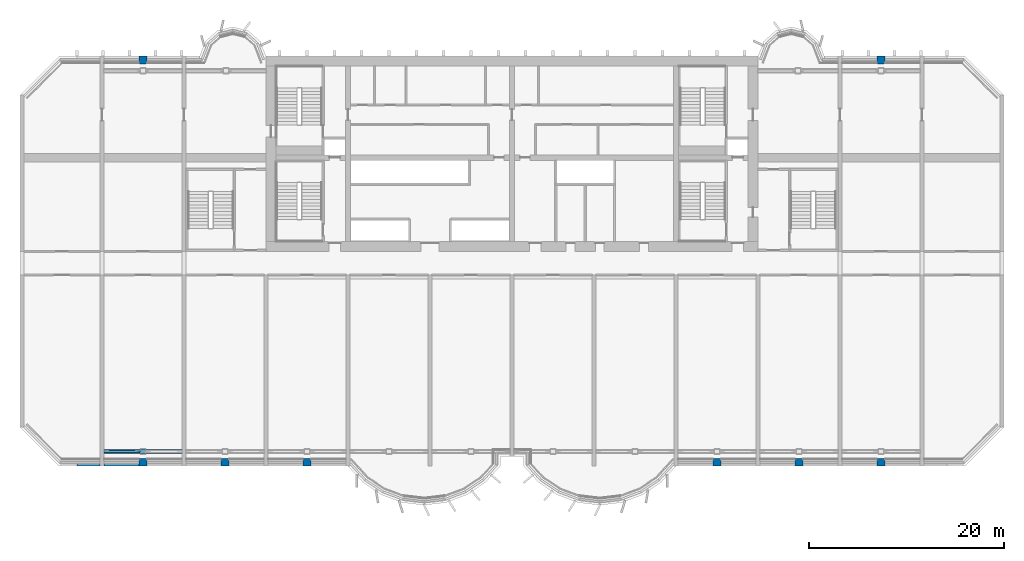
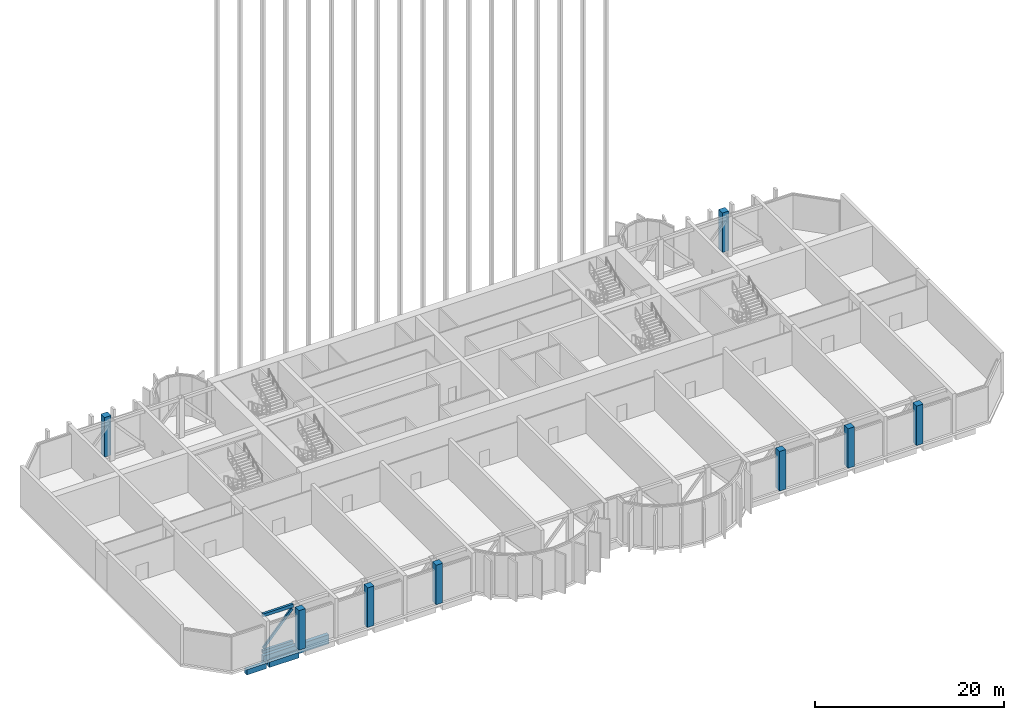
# One storey, part 1 of 17: 8 columns, 3 beams, 3 members.
"""IFC4 building model written with IfcOpenShell, lengths in metres."""

import ifcopenshell
import ifcopenshell.guid

model = None  # the IFC model being written
_history = None  # IfcOwnerHistory: only IFC2X3 demands one
_inside = {}  # id of a spatial element -> (the spatial element, [elements in it])
_under = {}  # id of a project, library or spatial element -> (it, [spatial elements below it])
_declared = {}  # id of a project -> (the project, [libraries it declares])
_typed = {}  # id of a type object -> (the type object, [elements of that type])
_made_of = {}  # id of a material, layer set ... -> (it, [elements and type objects made of it])


def new_model(schema):
    """Start an empty IFC model of exactly this schema.

    Asked for "IFC4X3", IfcOpenShell would pick the latest addendum, in which some entities
    have other attributes; the version numbers below select the first issue.
    IFC2X3 requires an IfcOwnerHistory on every rooted entity: one is made here for all.
    """
    global model, _history
    if schema == "IFC4X3":
        model = ifcopenshell.file(schema_version=(4, 3, 0, 0))
    else:
        model = ifcopenshell.file(schema=schema)
    _inside.clear()
    _under.clear()
    _declared.clear()
    _typed.clear()
    _made_of.clear()
    _history = None
    if model.schema == "IFC2X3":
        org = make("IfcOrganization", Name="unknown")
        user = make(
            "IfcPersonAndOrganization",
            ThePerson=make("IfcPerson", FamilyName="unknown"),
            TheOrganization=org,
        )
        app = make(
            "IfcApplication",
            ApplicationDeveloper=org,
            Version="unknown",
            ApplicationFullName="unknown",
            ApplicationIdentifier="unknown",
        )
        _history = make(
            "IfcOwnerHistory",
            OwningUser=user,
            OwningApplication=app,
            ChangeAction="ADDED",
            CreationDate=0,
        )
    return model


def make(cls, **values):
    """One entity of the class cls with the attributes given. An attribute that is None is left unset."""
    return model.create_entity(
        cls, **{name: value for name, value in values.items() if value is not None}
    )


def rooted(cls, **values):
    """An entity with a GlobalId (a new one), such as an element, a storey or a relation."""
    return make(cls, GlobalId=ifcopenshell.guid.new(), OwnerHistory=_history, **values)


def si_unit(unit_type, name, prefix=None):
    """IfcSIUnit, for example si_unit("LENGTHUNIT", "METRE", prefix="MILLI")."""
    return make("IfcSIUnit", UnitType=unit_type, Prefix=prefix, Name=name)


def assignment(units):
    """IfcUnitAssignment: the units of a project."""
    return None if units is None else make("IfcUnitAssignment", Units=units)


def point(xyz):
    """IfcCartesianPoint."""
    return None if xyz is None else make("IfcCartesianPoint", Coordinates=xyz)


def direction(xyz):
    """IfcDirection."""
    return None if xyz is None else make("IfcDirection", DirectionRatios=xyz)


def frame(location, z_axis=None, x_axis=None):
    """IfcAxis2Placement3D, a coordinate frame: its origin and axes. An axis left out is left unset."""
    return make(
        "IfcAxis2Placement3D",
        Location=point(location),
        Axis=direction(z_axis),
        RefDirection=direction(x_axis),
    )


def frame_2d(location, x_axis=None):
    """IfcAxis2Placement2D, a coordinate frame in the plane: its origin and x axis."""
    return make(
        "IfcAxis2Placement2D", Location=point(location), RefDirection=direction(x_axis)
    )


def origin():
    """The frame at (0, 0, 0) with its axes left unset."""
    return frame((0.0, 0.0, 0.0))


def origin_2d():
    """The frame at (0, 0) in the plane with its x axis left unset."""
    return frame_2d((0.0, 0.0))


def place(relative_to, where):
    """IfcLocalPlacement: puts the frame where relative to a parent placement (None: the world)."""
    return make(
        "IfcLocalPlacement", PlacementRelTo=relative_to, RelativePlacement=where
    )


def context(
    kind, dimensions, precision=None, world=None, true_north=None, identifier=None
):
    """IfcGeometricRepresentationContext, for example the 3D "Model" context."""
    return make(
        "IfcGeometricRepresentationContext",
        ContextIdentifier=identifier,
        ContextType=kind,
        CoordinateSpaceDimension=dimensions,
        Precision=precision,
        WorldCoordinateSystem=world,
        TrueNorth=true_north,
    )


def subcontext(parent, identifier, kind, view, scale=None):
    """IfcGeometricRepresentationSubContext, for example "Body" below "Model"."""
    return make(
        "IfcGeometricRepresentationSubContext",
        ContextIdentifier=identifier,
        ContextType=kind,
        ParentContext=parent,
        TargetScale=scale,
        TargetView=view,
    )


def project(units=None, contexts=None):
    """IfcProject with its units and contexts."""
    return rooted(
        "IfcProject",
        Name="project",
        RepresentationContexts=contexts,
        UnitsInContext=assignment(units),
    )


def spatial(cls, under=None, at=None, **own):
    """A site, building, storey or space (cls), placed at a placement, below another one or the project."""
    s = rooted(cls, ObjectPlacement=at, **own)
    if under is not None:
        _under.setdefault(under.id(), (under, []))[1].append(s)
    return s


def profile(cls, at=None, kind="AREA", **sizes):
    """A parametric profile (cls). Its sizes go by their IFC names, for example OverallWidth=200.0."""
    return make(cls, ProfileType=kind, Position=at, **sizes)


def rectangle(**sizes):
    """IfcRectangleProfileDef."""
    return profile("IfcRectangleProfileDef", **sizes)


def hollow_rectangle(**sizes):
    """IfcRectangleHollowProfileDef."""
    return profile("IfcRectangleHollowProfileDef", **sizes)


def extrude(swept, where, along, depth):
    """IfcExtrudedAreaSolid: the profile swept, set in the frame where, extruded along a direction by depth."""
    return make(
        "IfcExtrudedAreaSolid",
        SweptArea=swept,
        Position=where,
        ExtrudedDirection=direction(along),
        Depth=depth,
    )


def shape(context_of_items, identifier, shape_type, items):
    """IfcShapeRepresentation: the items that make up one representation, for example the "Body"."""
    return make(
        "IfcShapeRepresentation",
        ContextOfItems=context_of_items,
        RepresentationIdentifier=identifier,
        RepresentationType=shape_type,
        Items=items,
    )


def source(mapping_origin, context_of_items, identifier, shape_type, items):
    """IfcRepresentationMap: a shape defined once, which mapped items show again and again."""
    return make(
        "IfcRepresentationMap",
        MappingOrigin=mapping_origin,
        MappedRepresentation=shape(context_of_items, identifier, shape_type, items),
    )


def transform(
    local_origin,
    x_axis=None,
    y_axis=None,
    z_axis=None,
    scale=None,
    scale2=None,
    scale3=None,
    uniform=True,
):
    """IfcCartesianTransformationOperator3D, or its non-uniform kind. x_axis, y_axis, z_axis: its Axis1, 2, 3."""
    if uniform:
        return make(
            "IfcCartesianTransformationOperator3D",
            Axis1=direction(x_axis),
            Axis2=direction(y_axis),
            LocalOrigin=point(local_origin),
            Scale=scale,
            Axis3=direction(z_axis),
        )
    return make(
        "IfcCartesianTransformationOperator3DnonUniform",
        Axis1=direction(x_axis),
        Axis2=direction(y_axis),
        LocalOrigin=point(local_origin),
        Scale=scale,
        Axis3=direction(z_axis),
        Scale2=scale2,
        Scale3=scale3,
    )


def mapped(mapping_source, mapping_target):
    """IfcMappedItem: shows the shape of a source again, moved by a transform."""
    return make(
        "IfcMappedItem", MappingSource=mapping_source, MappingTarget=mapping_target
    )


def material(Name=None, Category=None):
    """IfcMaterial."""
    return make("IfcMaterial", Name=Name, Category=Category)


def material_profile(
    of_material, cross_section, Name=None, Category=None, Priority=None
):
    """IfcMaterialProfile: a cross section and its material."""
    return make(
        "IfcMaterialProfile",
        Name=Name,
        Material=of_material,
        Profile=cross_section,
        Priority=Priority,
        Category=Category,
    )


def profile_set(profiles, Name=None, composite=None):
    """IfcMaterialProfileSet."""
    return make(
        "IfcMaterialProfileSet",
        Name=Name,
        MaterialProfiles=profiles,
        CompositeProfile=composite,
    )


def made_of(thing, what):
    """Note that an element or type object is made of a material, layer set ...; save() writes the relation."""
    if what is not None:
        _made_of.setdefault(what.id(), (what, []))[1].append(thing)
    return thing


def type_object(cls, material=None, **own):
    """A type object (cls), such as IfcWallType, which elements share."""
    return made_of(rooted(cls, **own), material)


def element(
    cls,
    number,
    at=None,
    inside=None,
    cuts=None,
    type_object=None,
    material=None,
    context=None,
    identifier="Body",
    shape_type=None,
    held_by="IfcProductDefinitionShape",
    body=None,
    shapes=None,
    **own,
):
    """One element of the class cls, such as IfcWall. Its Tag is "e" and its number.

    at: its placement. inside: the storey or other place that contains it. cuts: it is an
    opening in that element (IfcRelVoidsElement). A single representation is given by context,
    identifier, shape_type and body (its items); several are given by shapes. held_by: the class
    of the entity that holds the representations. save() writes the other relations.
    """
    e = rooted(cls, Tag="e%d" % number, ObjectPlacement=at, **own)
    if body is not None:
        shapes = [shape(context, identifier, shape_type, body)]
    if shapes is not None:
        e.Representation = make(held_by, Representations=shapes)
    if inside is not None:
        _inside.setdefault(inside.id(), (inside, []))[1].append(e)
    if cuts is not None:
        rooted(
            "IfcRelVoidsElement", RelatingBuildingElement=cuts, RelatedOpeningElement=e
        )
    if type_object is not None:
        _typed.setdefault(type_object.id(), (type_object, []))[1].append(e)
    return made_of(e, material)


def aggregate(whole, parts):
    """IfcRelAggregates: a whole, such as a stair, and the parts it consists of."""
    return rooted("IfcRelAggregates", RelatingObject=whole, RelatedObjects=parts)


def save(model, path):
    """Write the relations noted so far, then the file.

    IfcRelAggregates (storeys below a building ...), IfcRelContainedInSpatialStructure (elements
    in a storey), IfcRelDefinesByType, IfcRelAssociatesMaterial and IfcRelDeclares: one each for
    every whole, place, type object, material and project.
    """
    for whole, parts in _under.values():
        aggregate(whole, parts)
    for where, things in _inside.values():
        rooted(
            "IfcRelContainedInSpatialStructure",
            RelatedElements=things,
            RelatingStructure=where,
        )
    for kind, things in _typed.values():
        rooted("IfcRelDefinesByType", RelatedObjects=things, RelatingType=kind)
    for what, things in _made_of.values():
        rooted("IfcRelAssociatesMaterial", RelatedObjects=things, RelatingMaterial=what)
    for by, libraries in _declared.values():
        rooted("IfcRelDeclares", RelatingContext=by, RelatedDefinitions=libraries)
    model.write(path)


model = new_model("IFC4")

# Units and contexts
model_context = context("Model", 3, precision=1e-05, world=origin(), true_north=direction((0.0, 1.0)))
body_context = subcontext(model_context, "Body", "Model", "MODEL_VIEW")
ifc_project = project(units=[si_unit("LENGTHUNIT", "METRE"), si_unit("AREAUNIT", "SQUARE_METRE"), si_unit("VOLUMEUNIT", "CUBIC_METRE"), si_unit("PLANEANGLEUNIT", "RADIAN"), si_unit("MASSUNIT", "GRAM", prefix="KILO")], contexts=[model_context])

# Site, building, storey
site_placement = place(None, origin())
site = spatial("IfcSite", under=ifc_project, at=site_placement, CompositionType="ELEMENT")
building_placement = place(site_placement, origin())
building = spatial("IfcBuilding", under=site, at=building_placement, Name="Vanashikhar Sky Hotel", CompositionType="ELEMENT")
storey_placement = place(building_placement, frame((0.0, 0.0, 81.0)))
storey = spatial("IfcBuildingStorey", under=building, at=storey_placement, Name="L19", CompositionType="ELEMENT", Elevation=81.0)

# Columns
ifc_material_1 = material(Name="Concrete M70", Category="concrete")
ifc_material_profile_1 = material_profile(ifc_material_1, rectangle(XDim=0.800048828125, YDim=0.800048828125, at=origin_2d()))
ifc_profile_set_1 = profile_set([ifc_material_profile_1], Name="RC 800x800 column Concrete M70")
column_type = type_object("IfcColumnType", Name="RC 800x800 column Concrete M70", PredefinedType="COLUMN", material=ifc_profile_set_1)
shared_shape_1 = source(origin(), body_context, "Body", "SweptSolid", [
    extrude(rectangle(XDim=0.800048828125, YDim=0.800048828125, at=origin_2d()), origin(), (0.0, 0.0, 1.0), 5.1201171875),
])
for number, where, z_axis, x_axis, name in (
    (1, (12.60009765625, 0.39990234375, 0.0), (0.0, 0.0, 1.0), (1.0, 0.0, 0.0), "CL-L19-CF02"),
    (2, (21.0, 0.39990234375, 0.0), (0.0, 0.0, 1.0), (1.0, 0.0, 0.0), "CL-L19-CF03"),
    (3, (29.39990234375, 0.39990234375, 0.0), (0.0, 0.0, 1.0), (1.0, 0.0, 0.0), "CL-L19-CF04"),
    (4, (71.39990234375, 0.39990234375, 0.0), (0.0, 0.0, 1.0), (1.0, 0.0, 0.0), "CL-L19-CF09"),
    (5, (79.800048828125, 0.39990234375, 0.0), (0.0, 0.0, 1.0), (1.0, 0.0, 0.0), "CL-L19-CF10"),
    (6, (88.199951171875, 0.39990234375, 0.0), (0.0, 0.0, 1.0), (1.0, 0.0, 0.0), "CL-L19-CF11"),
    (7, (12.60009765625, 41.60009765625, 0.0), (0.0, 0.0, 1.0), (1.0, 0.0, 0.0), "CL-L19-CR02"),
    (8, (88.199951171875, 41.60009765625, 0.0), (0.0, 0.0, 1.0), (1.0, 0.0, 0.0), "CL-L19-CR11"),
):
    element("IfcColumn", number, at=place(storey_placement, frame(where, z_axis=z_axis, x_axis=x_axis)), inside=storey, type_object=column_type, Name=name, PredefinedType="COLUMN", context=body_context, shape_type="MappedRepresentation", body=[
        mapped(shared_shape_1, transform((0.0, 0.0, 0.0), scale=1.0)),
    ])

# Beams
ifc_material_2 = material(Name="Concrete M50", Category="concrete")
ifc_material_profile_2 = material_profile(ifc_material_2, rectangle(XDim=0.449951171875, YDim=0.699951171875, at=origin_2d()))
ifc_profile_set_2 = profile_set([ifc_material_profile_2], Name="RC 450x700 beam Concrete M50")
beam_type_1 = type_object("IfcBeamType", Name="RC 450x700 beam Concrete M50", PredefinedType="BEAM", material=ifc_profile_set_2)
shared_shape_2 = source(origin(), body_context, "Body", "SweptSolid", [
    extrude(rectangle(XDim=0.449951171875, YDim=0.699951171875, at=origin_2d()), origin(), (0.0, 0.0, 1.0), 3.599853515625),
])
beam_1_placement = place(storey_placement, frame((8.60009765625, 0.22509765625, -0.6298828125), z_axis=(1.0, 0.0, 0.0), x_axis=(0.0, 1.0, 0.0)))
element("IfcBeam", 9, at=beam_1_placement, inside=storey, type_object=beam_type_1, Name="EB-L19-F01", PredefinedType="BEAM", context=body_context, shape_type="MappedRepresentation", body=[
    mapped(shared_shape_2, transform((0.0, 0.0, 0.0), scale=1.0)),
])
ifc_material_profile_3 = material_profile(ifc_material_2, rectangle(XDim=0.449951171875, YDim=0.699951171875, at=origin_2d()))
ifc_profile_set_3 = profile_set([ifc_material_profile_3], Name="RC 450x700 cantilever beam Concrete M50")
beam_type_2 = type_object("IfcBeamType", Name="RC 450x700 cantilever beam Concrete M50", PredefinedType="SPANDREL", material=ifc_profile_set_3)
shared_shape_3 = source(origin(), body_context, "Body", "SweptSolid", [
    extrude(rectangle(XDim=0.449951171875, YDim=0.699951171875, at=origin_2d()), origin(), (0.0, 0.0, 1.0), 2.3798828125),
])
beam_2_placement = place(storey_placement, frame((5.820068359375, 0.22509765625, -0.6298828125), z_axis=(1.0, 0.0, 0.0), x_axis=(0.0, 1.0, 0.0)))
element("IfcBeam", 10, at=beam_2_placement, inside=storey, type_object=beam_type_2, Name="EB-L19-F07", PredefinedType="SPANDREL", context=body_context, shape_type="MappedRepresentation", body=[
    mapped(shared_shape_3, transform((0.0, 0.0, 0.0), scale=1.0)),
])
ifc_material_profile_4 = material_profile(ifc_material_2, rectangle(XDim=0.449951171875, YDim=1.199951171875, at=origin_2d()))
ifc_profile_set_4 = profile_set([ifc_material_profile_4], Name="RC 450x1200 beam Concrete M50")
beam_type_3 = type_object("IfcBeamType", Name="RC 450x1200 beam Concrete M50", PredefinedType="BEAM", material=ifc_profile_set_4)
shared_shape_4 = source(origin(), body_context, "Body", "SweptSolid", [
    extrude(rectangle(XDim=0.449951171875, YDim=1.199951171875, at=origin_2d()), origin(), (0.0, 0.0, 1.0), 8.0),
])
beam_3_placement = place(storey_placement, frame((8.60009765625, 1.5, -0.8798828125), z_axis=(1.0, 0.0, 0.0), x_axis=(0.0, 1.0, 0.0)))
element("IfcBeam", 11, at=beam_3_placement, inside=storey, type_object=beam_type_3, Name="TG-L19-F01", PredefinedType="BEAM", context=body_context, shape_type="MappedRepresentation", body=[
    mapped(shared_shape_4, transform((0.0, 0.0, 0.0), scale=1.0)),
])

# Members
ifc_material_3 = material(Name="Steel S355", Category="steel")
ifc_material_profile_5 = material_profile(ifc_material_3, hollow_rectangle(XDim=0.300048828125, YDim=0.39990234375, WallThickness=0.01611328125, at=origin_2d()))
ifc_profile_set_5 = profile_set([ifc_material_profile_5], Name="RHS 400x300x16 Steel S355")
member_type_1 = type_object("IfcMemberType", Name="RHS 400x300x16 Steel S355", PredefinedType="CHORD", material=ifc_profile_set_5)
shared_shape_5 = source(origin(), body_context, "Body", "SweptSolid", [
    extrude(hollow_rectangle(XDim=0.300048828125, YDim=0.39990234375, WallThickness=0.01611328125, at=origin_2d()), origin(), (0.0, 0.0, 1.0), 3.699951171875),
])
for number, where, z_axis, x_axis, name in (
    (12, (8.60009765625, 1.5, 0.199951171875), (1.0, 0.0, 0.0), (0.0, 1.0, 0.0), "BC-L19-F01BL"),
    (13, (8.60009765625, 1.5, 4.919921875), (1.0, 0.0, 0.0), (0.0, 1.0, 0.0), "BC-L19-F01TL"),
):
    element("IfcMember", number, at=place(storey_placement, frame(where, z_axis=z_axis, x_axis=x_axis)), inside=storey, type_object=member_type_1, Name=name, PredefinedType="CHORD", context=body_context, shape_type="MappedRepresentation", body=[
        mapped(shared_shape_5, transform((0.0, 0.0, 0.0), scale=1.0)),
    ])
ifc_material_profile_6 = material_profile(ifc_material_3, hollow_rectangle(XDim=0.199951171875, YDim=0.300048828125, WallThickness=0.011962890625, at=origin_2d()))
ifc_profile_set_6 = profile_set([ifc_material_profile_6], Name="RHS 300x200x12 Steel S355")
member_type_2 = type_object("IfcMemberType", Name="RHS 300x200x12 Steel S355", PredefinedType="BRACE", material=ifc_profile_set_6)
shared_shape_6 = source(origin(), body_context, "Body", "SweptSolid", [
    extrude(hollow_rectangle(XDim=0.199951171875, YDim=0.300048828125, WallThickness=0.011962890625, at=origin_2d()), origin(), (0.0, 0.0, 1.0), 5.268310546875),
])
member_placement = place(storey_placement, frame((8.68994140625, 1.5, 0.60009765625), z_axis=(0.668134797628, 0.0, 0.744040249044), x_axis=(0.0, 1.0, 0.0)))
element("IfcMember", 14, at=member_placement, inside=storey, type_object=member_type_2, Name="BD-L19-F01L", PredefinedType="BRACE", context=body_context, shape_type="MappedRepresentation", body=[
    mapped(shared_shape_6, transform((0.0, 0.0, 0.0), scale=1.0)),
])

save(model, "model.ifc")
